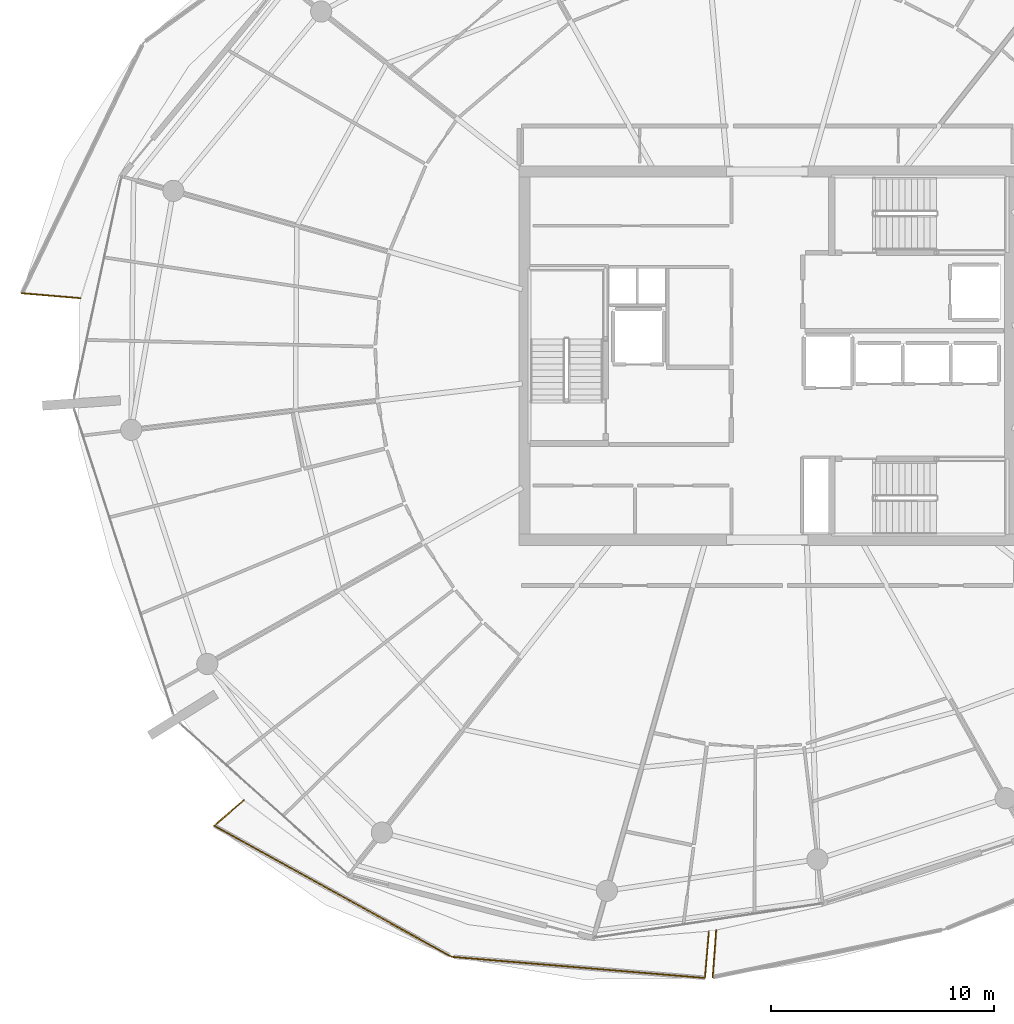
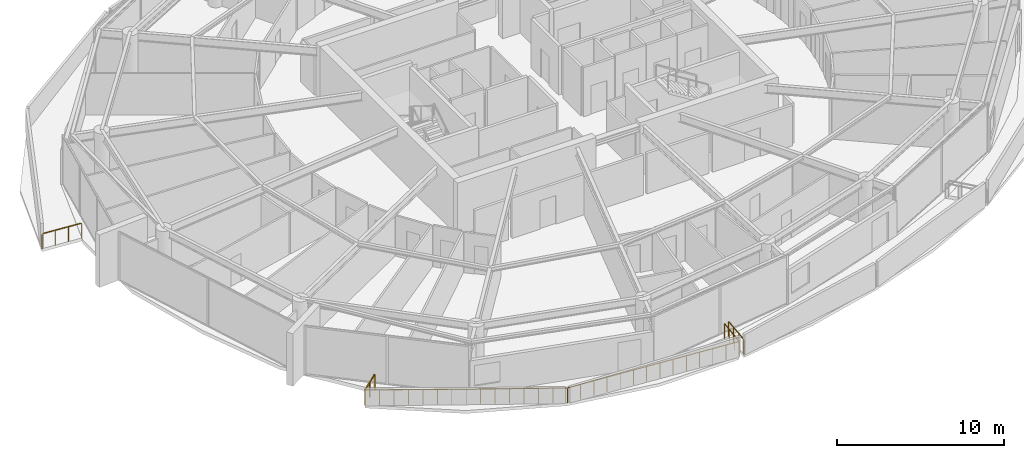
# One storey, part 24 of 30: 6 railings.
"""IFC4 building model written with IfcOpenShell, lengths in metres."""

from ifc_helpers import new_model, si_unit, direction, frame, origin, origin_2d, place, context, subcontext, project, spatial, rectangle, extrude, material, type_object, element, save


model = new_model("IFC4")

# Units and contexts
model_context = context("Model", 3, precision=1e-05, world=origin(), true_north=direction((0.0, 1.0)))
body_context = subcontext(model_context, "Body", "Model", "MODEL_VIEW")
ifc_project = project(units=[si_unit("LENGTHUNIT", "METRE"), si_unit("AREAUNIT", "SQUARE_METRE"), si_unit("VOLUMEUNIT", "CUBIC_METRE"), si_unit("PLANEANGLEUNIT", "RADIAN"), si_unit("MASSUNIT", "GRAM", prefix="KILO")], contexts=[model_context])

# Site, building, storey
site_placement = place(None, origin())
site = spatial("IfcSite", under=ifc_project, at=site_placement, CompositionType="ELEMENT")
building_placement = place(site_placement, origin())
building = spatial("IfcBuilding", under=site, at=building_placement, Name="Kazma Halo Residences", CompositionType="ELEMENT")
storey_placement = place(building_placement, frame((0.0, 0.0, 290.60009765625)))
storey = spatial("IfcBuildingStorey", under=building, at=storey_placement, Name="L73", CompositionType="ELEMENT", Elevation=290.60009765625)

# Railings
ifc_material = material(Name="Aluminium AW-6063 T6 Brushed Cap Rail", Category="aluminium")
railing_type = type_object("IfcRailingType", Name="RLG-BAL-CAP-1120", PredefinedType="BALUSTRADE", material=ifc_material)
railing_1_placement = place(storey_placement, frame((15.0185546875, 44.798583984375, 0.0)))
element("IfcRailing", 1, at=railing_1_placement, inside=storey, type_object=railing_type, Name="L73 NW wave balcony guard 4", PredefinedType="BALUSTRADE", context=body_context, shape_type="SweptSolid", body=[
    extrude(rectangle(XDim=0.050048828125, YDim=0.050048828125, at=origin_2d()), frame((0.04248046875, -0.003662109375, 1.09521484375), z_axis=(0.996415768752, -0.084590872927, 0.0), x_axis=(0.084590872927, 0.996415768752, 0.0)), (0.0, 0.0, 1.0), 2.5556640625),
    extrude(rectangle(XDim=0.0400390625, YDim=0.0400390625, at=origin_2d()), origin(), (0.0, 0.0, 1.0), 1.05810546875),
    extrude(rectangle(XDim=0.0400390625, YDim=0.0400390625, at=origin_2d()), frame((0.877197265625, -0.074462890625, 0.0)), (0.0, 0.0, 1.0), 1.05810546875),
    extrude(rectangle(XDim=0.0400390625, YDim=0.0400390625, at=origin_2d()), frame((1.754150390625, -0.14892578125, 0.0)), (0.0, 0.0, 1.0), 1.05810546875),
    extrude(rectangle(XDim=0.0400390625, YDim=0.0400390625, at=origin_2d()), frame((2.63134765625, -0.223388671875, 0.0)), (0.0, 0.0, 1.0), 1.05810546875),
])
railing_2_placement = place(storey_placement, frame((24.9599609375, 22.0771484375, 0.0)))
element("IfcRailing", 2, at=railing_2_placement, inside=storey, type_object=railing_type, Name="L73 SW wave balcony guard 1", PredefinedType="BALUSTRADE", context=body_context, shape_type="SweptSolid", body=[
    extrude(rectangle(XDim=0.050048828125, YDim=0.050048828125, at=origin_2d()), frame((-0.0322265625, -0.02783203125, 1.09521484375), z_axis=(-0.756417381083, -0.654089248953, 0.0), x_axis=(0.654089248953, -0.756417381083, 0.0)), (0.0, 0.0, 1.0), 1.661376953125),
    extrude(rectangle(XDim=0.0400390625, YDim=0.0400390625, at=origin_2d()), origin(), (0.0, 0.0, 1.0), 1.05810546875),
    extrude(rectangle(XDim=0.0400390625, YDim=0.0400390625, at=origin_2d()), frame((-0.66064453125, -0.5712890625, 0.0)), (0.0, 0.0, 1.0), 1.05810546875),
    extrude(rectangle(XDim=0.0400390625, YDim=0.0400390625, at=origin_2d()), frame((-1.321044921875, -1.142333984375, 0.0)), (0.0, 0.0, 1.0), 1.05810546875),
])
railing_3_placement = place(storey_placement, frame((23.638916015625, 20.934814453125, 0.0)))
element("IfcRailing", 3, at=railing_3_placement, inside=storey, type_object=railing_type, Name="L73 SW wave balcony guard 2", PredefinedType="BALUSTRADE", context=body_context, shape_type="SweptSolid", body=[
    extrude(rectangle(XDim=0.050048828125, YDim=0.050048828125, at=origin_2d()), frame((0.037353515625, -0.0205078125, 1.09521484375), z_axis=(0.875457487353, -0.483295135334, 0.0), x_axis=(0.483295135334, 0.875457487353, 0.0)), (0.0, 0.0, 1.0), 12.06396484375),
    extrude(rectangle(XDim=0.0400390625, YDim=0.0400390625, at=origin_2d()), origin(), (0.0, 0.0, 1.0), 1.05810546875),
    extrude(rectangle(XDim=0.0400390625, YDim=0.0400390625, at=origin_2d()), frame((0.759765625, -0.41943359375, 0.0)), (0.0, 0.0, 1.0), 1.05810546875),
    extrude(rectangle(XDim=0.0400390625, YDim=0.0400390625, at=origin_2d()), frame((1.51953125, -0.8388671875, 0.0)), (0.0, 0.0, 1.0), 1.05810546875),
    extrude(rectangle(XDim=0.0400390625, YDim=0.0400390625, at=origin_2d()), frame((2.279052734375, -1.25830078125, 0.0)), (0.0, 0.0, 1.0), 1.05810546875),
    extrude(rectangle(XDim=0.0400390625, YDim=0.0400390625, at=origin_2d()), frame((3.038818359375, -1.677490234375, 0.0)), (0.0, 0.0, 1.0), 1.05810546875),
    extrude(rectangle(XDim=0.0400390625, YDim=0.0400390625, at=origin_2d()), frame((3.798583984375, -2.096923828125, 0.0)), (0.0, 0.0, 1.0), 1.05810546875),
    extrude(rectangle(XDim=0.0400390625, YDim=0.0400390625, at=origin_2d()), frame((4.558349609375, -2.516357421875, 0.0)), (0.0, 0.0, 1.0), 1.05810546875),
    extrude(rectangle(XDim=0.0400390625, YDim=0.0400390625, at=origin_2d()), frame((5.31787109375, -2.935791015625, 0.0)), (0.0, 0.0, 1.0), 1.05810546875),
    extrude(rectangle(XDim=0.0400390625, YDim=0.0400390625, at=origin_2d()), frame((6.07763671875, -3.355224609375, 0.0)), (0.0, 0.0, 1.0), 1.05810546875),
    extrude(rectangle(XDim=0.0400390625, YDim=0.0400390625, at=origin_2d()), frame((6.83740234375, -3.774658203125, 0.0)), (0.0, 0.0, 1.0), 1.05810546875),
    extrude(rectangle(XDim=0.0400390625, YDim=0.0400390625, at=origin_2d()), frame((7.59716796875, -4.194091796875, 0.0)), (0.0, 0.0, 1.0), 1.05810546875),
    extrude(rectangle(XDim=0.0400390625, YDim=0.0400390625, at=origin_2d()), frame((8.35693359375, -4.61328125, 0.0)), (0.0, 0.0, 1.0), 1.05810546875),
    extrude(rectangle(XDim=0.0400390625, YDim=0.0400390625, at=origin_2d()), frame((9.116455078125, -5.03271484375, 0.0)), (0.0, 0.0, 1.0), 1.05810546875),
    extrude(rectangle(XDim=0.0400390625, YDim=0.0400390625, at=origin_2d()), frame((9.876220703125, -5.4521484375, 0.0)), (0.0, 0.0, 1.0), 1.05810546875),
    extrude(rectangle(XDim=0.0400390625, YDim=0.0400390625, at=origin_2d()), frame((10.635986328125, -5.87158203125, 0.0)), (0.0, 0.0, 1.0), 1.05810546875),
])
railing_4_placement = place(storey_placement, frame((34.27490234375, 15.063232421875, 0.0)))
element("IfcRailing", 4, at=railing_4_placement, inside=storey, type_object=railing_type, Name="L73 SW wave balcony guard 3", PredefinedType="BALUSTRADE", context=body_context, shape_type="SweptSolid", body=[
    extrude(rectangle(XDim=0.050048828125, YDim=0.050048828125, at=origin_2d()), frame((0.04248046875, -0.003662109375, 1.09521484375), z_axis=(0.996515855772, -0.08340353227, 0.0), x_axis=(0.08340353227, 0.996515855772, 0.0)), (0.0, 0.0, 1.0), 11.3134765625),
    extrude(rectangle(XDim=0.0400390625, YDim=0.0400390625, at=origin_2d()), origin(), (0.0, 0.0, 1.0), 1.05810546875),
    extrude(rectangle(XDim=0.0400390625, YDim=0.0400390625, at=origin_2d()), frame((0.873779296875, -0.0732421875, 0.0)), (0.0, 0.0, 1.0), 1.05810546875),
    extrude(rectangle(XDim=0.0400390625, YDim=0.0400390625, at=origin_2d()), frame((1.74755859375, -0.146240234375, 0.0)), (0.0, 0.0, 1.0), 1.05810546875),
    extrude(rectangle(XDim=0.0400390625, YDim=0.0400390625, at=origin_2d()), frame((2.621337890625, -0.219482421875, 0.0)), (0.0, 0.0, 1.0), 1.05810546875),
    extrude(rectangle(XDim=0.0400390625, YDim=0.0400390625, at=origin_2d()), frame((3.4951171875, -0.29248046875, 0.0)), (0.0, 0.0, 1.0), 1.05810546875),
    extrude(rectangle(XDim=0.0400390625, YDim=0.0400390625, at=origin_2d()), frame((4.368896484375, -0.36572265625, 0.0)), (0.0, 0.0, 1.0), 1.05810546875),
    extrude(rectangle(XDim=0.0400390625, YDim=0.0400390625, at=origin_2d()), frame((5.24267578125, -0.438720703125, 0.0)), (0.0, 0.0, 1.0), 1.05810546875),
    extrude(rectangle(XDim=0.0400390625, YDim=0.0400390625, at=origin_2d()), frame((6.1162109375, -0.511962890625, 0.0)), (0.0, 0.0, 1.0), 1.05810546875),
    extrude(rectangle(XDim=0.0400390625, YDim=0.0400390625, at=origin_2d()), frame((6.989990234375, -0.5849609375, 0.0)), (0.0, 0.0, 1.0), 1.05810546875),
    extrude(rectangle(XDim=0.0400390625, YDim=0.0400390625, at=origin_2d()), frame((7.86376953125, -0.658203125, 0.0)), (0.0, 0.0, 1.0), 1.05810546875),
    extrude(rectangle(XDim=0.0400390625, YDim=0.0400390625, at=origin_2d()), frame((8.737548828125, -0.731201171875, 0.0)), (0.0, 0.0, 1.0), 1.05810546875),
    extrude(rectangle(XDim=0.0400390625, YDim=0.0400390625, at=origin_2d()), frame((9.611328125, -0.804443359375, 0.0)), (0.0, 0.0, 1.0), 1.05810546875),
    extrude(rectangle(XDim=0.0400390625, YDim=0.0400390625, at=origin_2d()), frame((10.485107421875, -0.87744140625, 0.0)), (0.0, 0.0, 1.0), 1.05810546875),
    extrude(rectangle(XDim=0.0400390625, YDim=0.0400390625, at=origin_2d()), frame((11.35888671875, -0.95068359375, 0.0)), (0.0, 0.0, 1.0), 1.05810546875),
])
railing_5_placement = place(storey_placement, frame((45.6337890625, 14.112548828125, 0.0)))
element("IfcRailing", 5, at=railing_5_placement, inside=storey, type_object=railing_type, Name="L73 SW wave balcony guard 4", PredefinedType="BALUSTRADE", context=body_context, shape_type="SweptSolid", body=[
    extrude(rectangle(XDim=0.050048828125, YDim=0.050048828125, at=origin_2d()), frame((0.003662109375, 0.04248046875, 1.09521484375), z_axis=(0.084488057574, 0.996424491935, 0.0), x_axis=(-0.996424491935, 0.084488057574, 0.0)), (0.0, 0.0, 1.0), 2.015625),
    extrude(rectangle(XDim=0.0400390625, YDim=0.0400390625, at=origin_2d()), origin(), (0.0, 0.0, 1.0), 1.05810546875),
    extrude(rectangle(XDim=0.0400390625, YDim=0.0400390625, at=origin_2d()), frame((0.05908203125, 0.69775390625, 0.0)), (0.0, 0.0, 1.0), 1.05810546875),
    extrude(rectangle(XDim=0.0400390625, YDim=0.0400390625, at=origin_2d()), frame((0.118408203125, 1.3955078125, 0.0)), (0.0, 0.0, 1.0), 1.05810546875),
    extrude(rectangle(XDim=0.0400390625, YDim=0.0400390625, at=origin_2d()), frame((0.177490234375, 2.09326171875, 0.0)), (0.0, 0.0, 1.0), 1.05810546875),
])
railing_6_placement = place(storey_placement, frame((46.1318359375, 16.25390625, 0.0)))
element("IfcRailing", 6, at=railing_6_placement, inside=storey, type_object=railing_type, Name="L73 SSE wave balcony guard 1", PredefinedType="BALUSTRADE", context=body_context, shape_type="SweptSolid", body=[
    extrude(rectangle(XDim=0.050048828125, YDim=0.050048828125, at=origin_2d()), frame((-0.003173828125, -0.04248046875, 1.09521484375), z_axis=(-0.072264274911, -0.997385519532, 0.0), x_axis=(0.997385519532, -0.072264274911, 0.0)), (0.0, 0.0, 1.0), 2.02978515625),
    extrude(rectangle(XDim=0.0400390625, YDim=0.0400390625, at=origin_2d()), origin(), (0.0, 0.0, 1.0), 1.05810546875),
    extrude(rectangle(XDim=0.0400390625, YDim=0.0400390625, at=origin_2d()), frame((-0.051025390625, -0.703125, 0.0)), (0.0, 0.0, 1.0), 1.05810546875),
    extrude(rectangle(XDim=0.0400390625, YDim=0.0400390625, at=origin_2d()), frame((-0.101806640625, -1.40625, 0.0)), (0.0, 0.0, 1.0), 1.05810546875),
    extrude(rectangle(XDim=0.0400390625, YDim=0.0400390625, at=origin_2d()), frame((-0.15283203125, -2.109375, 0.0)), (0.0, 0.0, 1.0), 1.05810546875),
])

save(model, "model.ifc")
